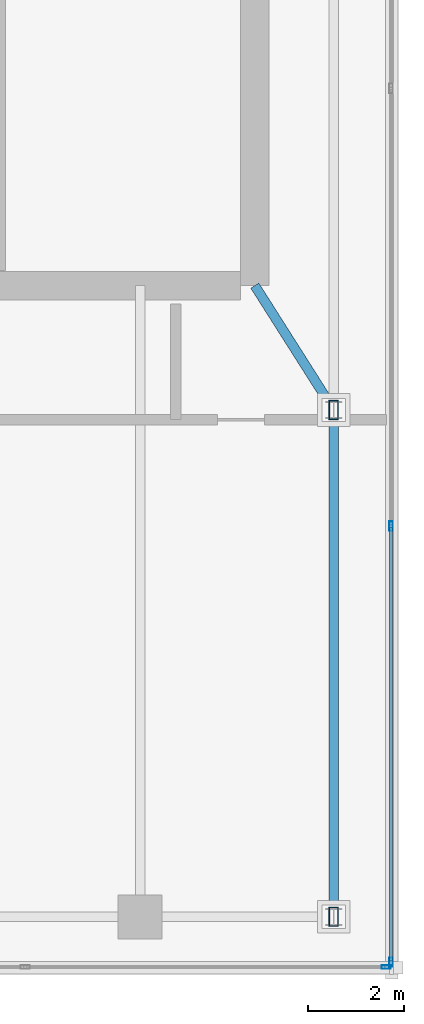
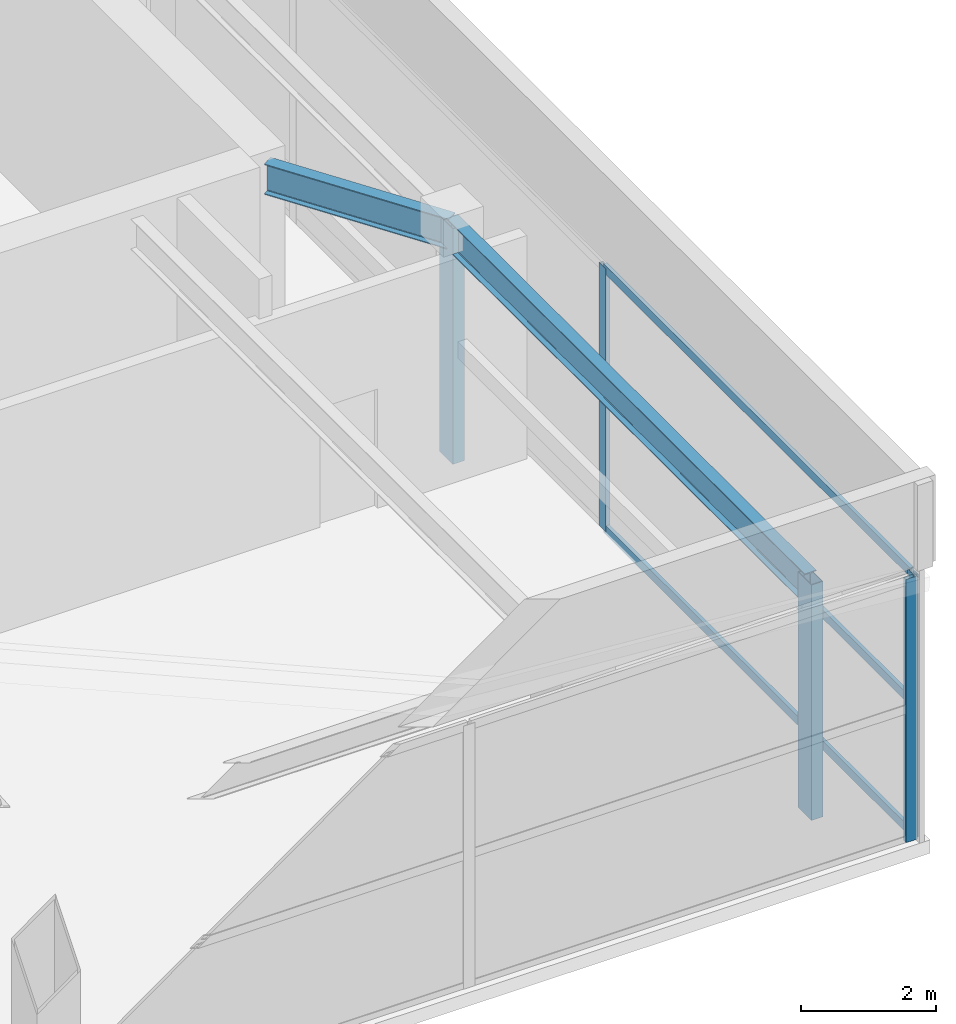
# One storey, part 7 of 20: 6 members, 4 beams, 2 elements without a shape of their own.
"""IFC4 building model written with IfcOpenShell, lengths in metres."""

from ifc_helpers import new_model, si_unit, direction, frame, origin, origin_2d, place, context, subcontext, project, spatial, hollow_rectangle, i_section, extrude, material, layer, layer_set, material_profile, profile_set, type_object, element, aggregate, save


model = new_model("IFC4")

# Units and contexts
model_context = context("Model", 3, precision=1e-05, world=origin(), true_north=direction((0.0, 1.0)))
body_context = subcontext(model_context, "Body", "Model", "MODEL_VIEW")
ifc_project = project(units=[si_unit("LENGTHUNIT", "METRE"), si_unit("AREAUNIT", "SQUARE_METRE"), si_unit("VOLUMEUNIT", "CUBIC_METRE"), si_unit("PLANEANGLEUNIT", "RADIAN"), si_unit("MASSUNIT", "GRAM", prefix="KILO")], contexts=[model_context])

# Site, building, storey
site_placement = place(None, origin())
site = spatial("IfcSite", under=ifc_project, at=site_placement, CompositionType="ELEMENT")
building_placement = place(site_placement, origin())
building = spatial("IfcBuilding", under=site, at=building_placement, Name="Calvorn Quay Hotel", CompositionType="ELEMENT")
storey_placement = place(building_placement, frame((0.0, 0.0, 345.5)))
storey = spatial("IfcBuildingStorey", under=building, at=storey_placement, Name="L84", CompositionType="ELEMENT", Elevation=345.5)

# Beams
ifc_material_1 = material(Name="Steel Q355B", Category="steel")
ifc_material_profile_1 = material_profile(ifc_material_1, hollow_rectangle(XDim=0.199951171875, YDim=0.39990234375, WallThickness=0.013916015625, at=origin_2d()), Name="RHS400x200x14")
ifc_profile_set_1 = profile_set([ifc_material_profile_1], Name="Steel Q355B")
beam_type_1 = type_object("IfcBeamType", Name="BM-CRN-RAFTER", PredefinedType="BEAM", material=ifc_profile_set_1)
for number, where, z_axis, x_axis, name in (
    (1, (16.64990234375, 3.60009765625, 0.25), (0.0, 0.0, 1.0), (1.0, 0.0, 0.0), "Crown Raking Rafter L84-1"),
    (2, (16.64990234375, 14.199951171875, 0.25), (0.0, 0.0, 1.0), (1.0, 0.0, 0.0), "Crown Raking Rafter L84-2"),
):
    element("IfcBeam", number, at=place(storey_placement, frame(where, z_axis=z_axis, x_axis=x_axis)), inside=storey, type_object=beam_type_1, Name=name, PredefinedType="BEAM", context=body_context, shape_type="SweptSolid", body=[
        extrude(hollow_rectangle(XDim=0.199951171875, YDim=0.39990234375, WallThickness=0.013916015625, at=origin_2d()), origin(), (0.0, 0.0, 1.0), 4.25),
    ])
ifc_material_2 = material(Name="Steel Q355B", Category="steel")
ifc_material_profile_2 = material_profile(ifc_material_2, i_section(OverallWidth=0.199951171875, OverallDepth=0.550048828125, WebThickness=0.010009765625, FlangeThickness=0.01611328125, FilletRadius=0.01806640625, at=origin_2d()), Name="HN550x200x10x16")
ifc_profile_set_2 = profile_set([ifc_material_profile_2], Name="Steel Q355B")
beam_type_2 = type_object("IfcBeamType", Name="BM-GIRD-UPP", PredefinedType="BEAM", material=ifc_profile_set_2)
beam_1_placement = place(storey_placement, frame((15.0, 16.800048828125, 4.304931640625), z_axis=(0.535787484168, -0.844352871618, 0.0), x_axis=(0.844352871618, 0.535787484168, 0.0)))
element("IfcBeam", 3, at=beam_1_placement, inside=storey, type_object=beam_type_2, Name="Beam BTG-L84-C-CR2", PredefinedType="BEAM", context=body_context, shape_type="SweptSolid", body=[
    extrude(i_section(OverallWidth=0.199951171875, OverallDepth=0.550048828125, WebThickness=0.010009765625, FlangeThickness=0.01611328125, FilletRadius=0.01806640625, at=origin_2d()), origin(), (0.0, 0.0, 1.0), 3.079345703125),
])
beam_2_placement = place(storey_placement, frame((16.64990234375, 3.60009765625, 4.304931640625), z_axis=(0.0, 1.0, 0.0), x_axis=(-1.0, 0.0, 0.0)))
element("IfcBeam", 4, at=beam_2_placement, inside=storey, type_object=beam_type_2, Name="Beam BTG-L84-CE1", PredefinedType="BEAM", context=body_context, shape_type="SweptSolid", body=[
    extrude(i_section(OverallWidth=0.199951171875, OverallDepth=0.550048828125, WebThickness=0.010009765625, FlangeThickness=0.01611328125, FilletRadius=0.01806640625, at=origin_2d()), origin(), (0.0, 0.0, 1.0), 10.599853515625),
])

# Curtain wall, member
ifc_material_3 = material(Name="Pale Anodised Aluminium and Laminated Glass", Category="aluminium")
ifc_layer = layer(ifc_material_3, 0.219970703125)
ifc_layer_set = layer_set([ifc_layer], Name="CW-SYS-CRN")
curtain_wall_type = type_object("IfcCurtainWallType", Name="CW-SYS-CRN", PredefinedType="NOTDEFINED", material=ifc_layer_set)
curtain_wall_1_placement = place(storey_placement, origin())
curtain_wall_1 = element("IfcCurtainWall", 5, at=curtain_wall_1_placement, inside=storey, type_object=curtain_wall_type, Name="Crown Curtain Wall L84-C1", PredefinedType="NOTDEFINED")
ifc_material_4 = material(Name="Pale Anodised Aluminium 6063-T6", Category="aluminium")
ifc_material_profile_3 = material_profile(ifc_material_4, hollow_rectangle(XDim=0.072021484375, YDim=0.195068359375, WallThickness=0.00390625, at=origin_2d()), Name="ALU-M195x72x4")
ifc_profile_set_3 = profile_set([ifc_material_profile_3], Name="Pale Anodised Aluminium 6063-T6")
member_type_1 = type_object("IfcMemberType", Name="CW-SYS-CRN-MUL", PredefinedType="MULLION", material=ifc_profile_set_3)
member_1_placement = place(storey_placement, frame((17.75, 2.550048828125, 0.0), z_axis=(0.0, 0.0, 1.0), x_axis=(0.0, 1.0, 0.0)))
member_1 = element("IfcMember", 6, at=member_1_placement, type_object=member_type_1, Name="CW-L84-C1 mullion 3", PredefinedType="MULLION", context=body_context, shape_type="SweptSolid", body=[
    extrude(hollow_rectangle(XDim=0.072021484375, YDim=0.195068359375, WallThickness=0.00390625, at=origin_2d()), origin(), (0.0, 0.0, 1.0), 4.75),
])
aggregate(curtain_wall_1, [member_1])

# Curtain wall, members
curtain_wall_2_placement = place(storey_placement, origin())
curtain_wall_2 = element("IfcCurtainWall", 7, at=curtain_wall_2_placement, inside=storey, type_object=curtain_wall_type, Name="Crown Curtain Wall L84-C2", PredefinedType="NOTDEFINED")
member_2_placement = place(storey_placement, frame((17.85009765625, 2.64990234375, 0.0), z_axis=(0.0, 0.0, 1.0), x_axis=(-1.0, 0.0, 0.0)))
member_2 = element("IfcMember", 8, at=member_2_placement, type_object=member_type_1, Name="CW-L84-C2 mullion 1", PredefinedType="MULLION", context=body_context, shape_type="SweptSolid", body=[
    extrude(hollow_rectangle(XDim=0.072021484375, YDim=0.195068359375, WallThickness=0.00390625, at=origin_2d()), origin(), (0.0, 0.0, 1.0), 4.75),
])
member_3_placement = place(storey_placement, frame((17.85009765625, 11.77197265625, 0.0), z_axis=(0.0, 0.0, 1.0), x_axis=(-1.0, 0.0, 0.0)))
member_3 = element("IfcMember", 9, at=member_3_placement, type_object=member_type_1, Name="CW-L84-C2 mullion 2", PredefinedType="MULLION", context=body_context, shape_type="SweptSolid", body=[
    extrude(hollow_rectangle(XDim=0.072021484375, YDim=0.195068359375, WallThickness=0.00390625, at=origin_2d()), origin(), (0.0, 0.0, 1.0), 4.75),
])
ifc_material_5 = material(Name="Pale Anodised Aluminium 6063-T6", Category="aluminium")
ifc_material_profile_4 = material_profile(ifc_material_5, hollow_rectangle(XDim=0.06201171875, YDim=0.159912109375, WallThickness=0.00341796875, at=origin_2d()), Name="ALU-T160x62x3.5")
ifc_profile_set_4 = profile_set([ifc_material_profile_4], Name="Pale Anodised Aluminium 6063-T6")
member_type_2 = type_object("IfcMemberType", Name="CW-SYS-CRN-TRN", PredefinedType="USERDEFINED", material=ifc_profile_set_4)
member_4_placement = place(storey_placement, frame((17.85009765625, 2.679931640625, 0.030029296875), z_axis=(0.0, 1.0, 0.0), x_axis=(-1.0, 0.0, 0.0)))
member_4 = element("IfcMember", 10, at=member_4_placement, type_object=member_type_2, Name="CW-L84-C2 transom 1.1", ObjectType="TRANSOM", PredefinedType="USERDEFINED", context=body_context, shape_type="SweptSolid", body=[
    extrude(hollow_rectangle(XDim=0.06201171875, YDim=0.159912109375, WallThickness=0.00341796875, at=origin_2d()), origin(), (0.0, 0.0, 1.0), 9.06201171875),
])
member_5_placement = place(storey_placement, frame((17.85009765625, 2.679931640625, 2.39990234375), z_axis=(0.0, 1.0, 0.0), x_axis=(-1.0, 0.0, 0.0)))
member_5 = element("IfcMember", 11, at=member_5_placement, type_object=member_type_2, Name="CW-L84-C2 transom 1.2", ObjectType="TRANSOM", PredefinedType="USERDEFINED", context=body_context, shape_type="SweptSolid", body=[
    extrude(hollow_rectangle(XDim=0.06201171875, YDim=0.159912109375, WallThickness=0.00341796875, at=origin_2d()), origin(), (0.0, 0.0, 1.0), 9.06201171875),
])
member_6_placement = place(storey_placement, frame((17.85009765625, 2.679931640625, 4.719970703125), z_axis=(0.0, 1.0, 0.0), x_axis=(-1.0, 0.0, 0.0)))
member_6 = element("IfcMember", 12, at=member_6_placement, type_object=member_type_2, Name="CW-L84-C2 transom 1.3", ObjectType="TRANSOM", PredefinedType="USERDEFINED", context=body_context, shape_type="SweptSolid", body=[
    extrude(hollow_rectangle(XDim=0.06201171875, YDim=0.159912109375, WallThickness=0.00341796875, at=origin_2d()), origin(), (0.0, 0.0, 1.0), 9.06201171875),
])
aggregate(curtain_wall_2, [member_2, member_3, member_4, member_5, member_6])

save(model, "model.ifc")
